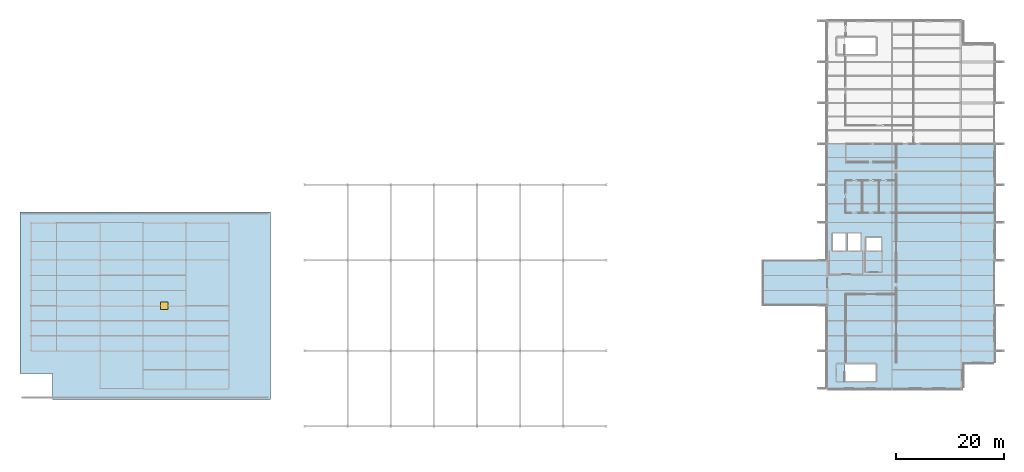
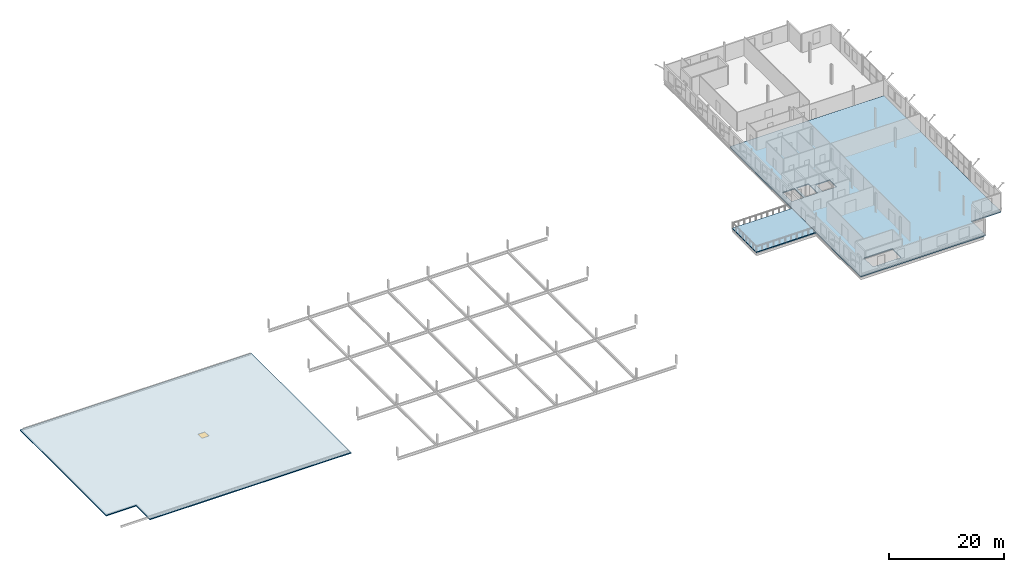
# One storey, part 17 of 25: 3 slabs, 1 window, 1 opening.
"""IFC4 building model written with IfcOpenShell, lengths in metres."""

from ifc_helpers import new_model, si_unit, direction, frame, origin, origin_2d, place, context, subcontext, project, spatial, polyline, rectangle, outline, extrude, material, layer, layer_set, type_object, element, fill, save


model = new_model("IFC4")

# Units and contexts
model_context = context("Model", 3, precision=1e-05, world=origin(), true_north=direction((0.0, 1.0)))
body_context = subcontext(model_context, "Body", "Model", "MODEL_VIEW")
ifc_project = project(units=[si_unit("LENGTHUNIT", "METRE"), si_unit("AREAUNIT", "SQUARE_METRE"), si_unit("VOLUMEUNIT", "CUBIC_METRE"), si_unit("PLANEANGLEUNIT", "RADIAN"), si_unit("MASSUNIT", "GRAM", prefix="KILO")], contexts=[model_context])

# Site, building, storey
site_placement = place(None, origin())
site = spatial("IfcSite", under=ifc_project, at=site_placement, CompositionType="ELEMENT")
building_placement = place(site_placement, origin())
building = spatial("IfcBuilding", under=site, at=building_placement, Name="Vekula Escarpment Museum", CompositionType="ELEMENT")
storey_placement = place(building_placement, frame((0.0, 0.0, 26.39990234375)))
storey = spatial("IfcBuildingStorey", under=building, at=storey_placement, Name="L06", CompositionType="ELEMENT", Elevation=26.39990234375)

# Slab
ifc_material_1 = material(Name="Concrete C35/45", Category="concrete")
ifc_layer_1 = layer(ifc_material_1, 0.219970703125)
ifc_layer_set_1 = layer_set([ifc_layer_1], Name="Concrete C35/45")
slab_type_1 = type_object("IfcSlabType", Name="SL-FLR-220", PredefinedType="FLOOR", material=ifc_layer_set_1)
slab_1_placement = place(storey_placement, frame((0.0, 0.0, -0.219970703125)))
element("IfcSlab", 1, at=slab_1_placement, inside=storey, type_object=slab_type_1, Name="Floor Slab W-L06-V3-E", PredefinedType="FLOOR", context=body_context, shape_type="SweptSolid", body=[
    extrude(outline(polyline([(167.0, 52.60009765625), (192.110107421875, 52.60009765625), (192.110107421875, 57.39990234375), (198.0, 57.39990234375), (198.0, 98.0), (167.0, 98.0), (167.0, 52.60009765625)]), holes=[polyline([(170.31005859375, 54.0), (176.0, 54.0), (176.0, 57.10009765625), (170.31005859375, 57.10009765625), (170.31005859375, 54.0)]), polyline([(168.0, 78.199951171875), (170.39990234375, 78.199951171875), (170.39990234375, 81.39990234375), (168.0, 81.39990234375), (168.0, 78.199951171875)]), polyline([(170.800048828125, 78.199951171875), (173.199951171875, 78.199951171875), (173.199951171875, 81.39990234375), (170.800048828125, 81.39990234375), (170.800048828125, 78.199951171875)]), polyline([(174.199951171875, 78.199951171875), (177.0, 78.199951171875), (177.0, 80.60009765625), (174.199951171875, 80.60009765625), (174.199951171875, 78.199951171875)])]), origin(), (0.0, 0.0, 1.0), 0.219970703125),
])

# Slab, opening, window
ifc_material_2 = material(Name="Concrete C35/45", Category="concrete")
ifc_layer_2 = layer(ifc_material_2, 0.199951171875)
ifc_layer_set_2 = layer_set([ifc_layer_2], Name="Concrete C35/45")
slab_type_2 = type_object("IfcSlabType", Name="SL-ROOF-200", PredefinedType="ROOF", material=ifc_layer_set_2)
slab_2_placement = place(storey_placement, frame((0.0, 0.0, -0.199951171875)))
slab_2 = element("IfcSlab", 2, at=slab_2_placement, inside=storey, type_object=slab_type_2, Name="Overhanging Eave Roof Slab R-L06-V2W", PredefinedType="ROOF", context=body_context, shape_type="SweptSolid", body=[
    extrude(outline(polyline([(23.199951171875, 55.39990234375), (17.199951171875, 55.39990234375), (17.199951171875, 85.39990234375), (63.64990234375, 85.39990234375), (63.64990234375, 50.60009765625), (23.199951171875, 50.60009765625), (23.199951171875, 55.39990234375)])), origin(), (0.0, 0.0, 1.0), 0.199951171875),
])
opening_placement = place(slab_2_placement, frame((44.0, 68.0, -0.010009765625)))
opening = element("IfcOpeningElement", 3, at=opening_placement, cuts=slab_2, Name="Opening RH-02", PredefinedType="OPENING", context=body_context, shape_type="SweptSolid", body=[
    extrude(rectangle(XDim=1.39990234375, YDim=1.39990234375, at=origin_2d()), origin(), (0.0, 0.0, 1.0), 0.219970703125),
])
ifc_material_3 = material(Name="Double solar-control low-E glass", Category="glass")
window_type = type_object("IfcWindowType", Name="SK-HATCH-14x14", PartitioningType="SINGLE_PANEL", PredefinedType="SKYLIGHT", material=ifc_material_3)
window_placement = place(opening_placement, frame((0.0, 0.0, 0.14990234375)))
window = element("IfcWindow", 4, at=window_placement, inside=storey, type_object=window_type, Name="Roof Access Hatch RH-05", OverallHeight=1.39990234375, OverallWidth=1.39990234375, PartitioningType="SINGLE_PANEL", PredefinedType="SKYLIGHT", context=body_context, shape_type="SweptSolid", body=[
    extrude(rectangle(XDim=1.39990234375, YDim=1.39990234375, at=origin_2d()), origin(), (0.0, 0.0, 1.0), 0.050048828125),
])
fill(opening, window)

# Slab
ifc_material_4 = material(Name="Precast concrete C40/50", Category="concrete")
ifc_layer_3 = layer(ifc_material_4, 0.199951171875)
ifc_layer_set_3 = layer_set([ifc_layer_3], Name="Precast concrete C40/50")
slab_type_3 = type_object("IfcSlabType", Name="SL-TER-200", PredefinedType="FLOOR", material=ifc_layer_set_3)
slab_3_placement = place(storey_placement, frame((0.0, 0.0, -0.199951171875)))
element("IfcSlab", 5, at=slab_3_placement, inside=storey, type_object=slab_type_3, Name="Walkable Terrace Slab T-L06-STEP5", PredefinedType="FLOOR", context=body_context, shape_type="SweptSolid", body=[
    extrude(outline(polyline([(155.0, 68.0), (166.97998046875, 68.0), (166.97998046875, 76.39990234375), (155.0, 76.39990234375), (155.0, 68.0)])), origin(), (0.0, 0.0, 1.0), 0.199951171875),
])

save(model, "model.ifc")
